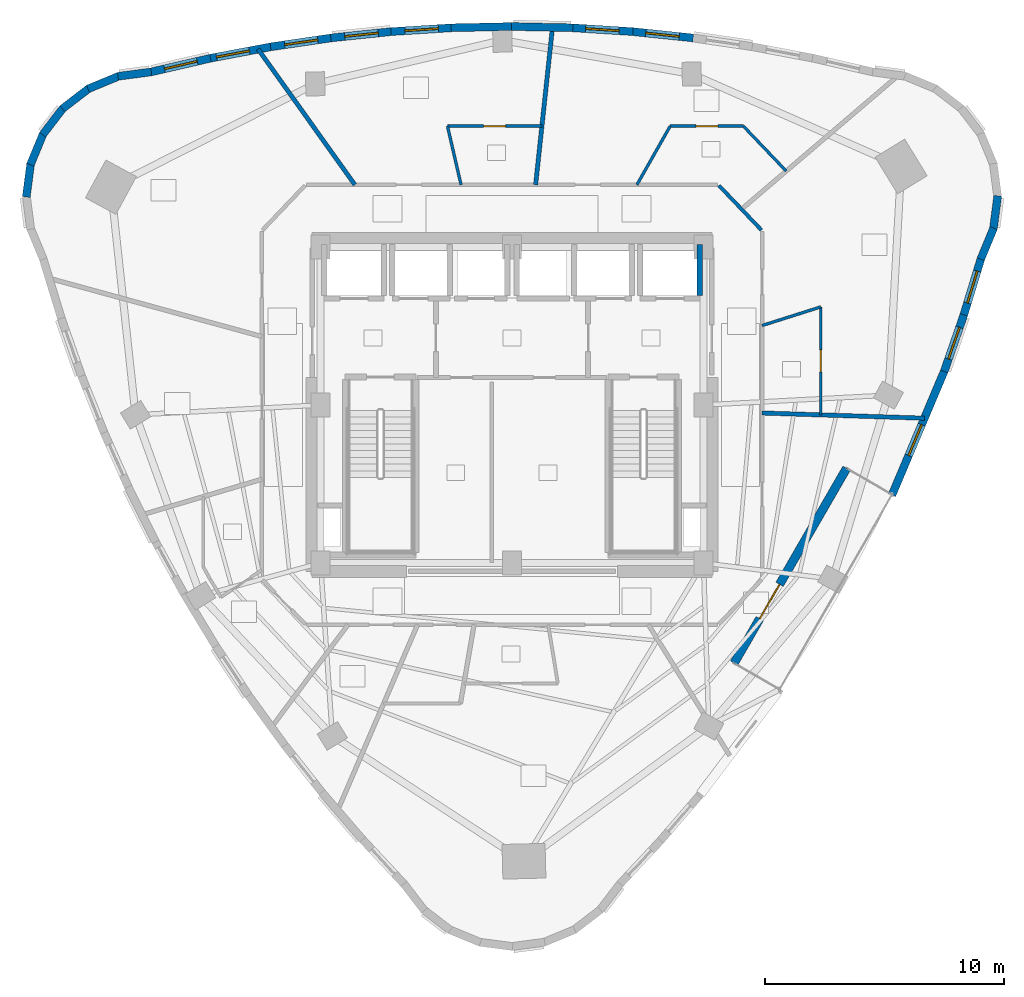
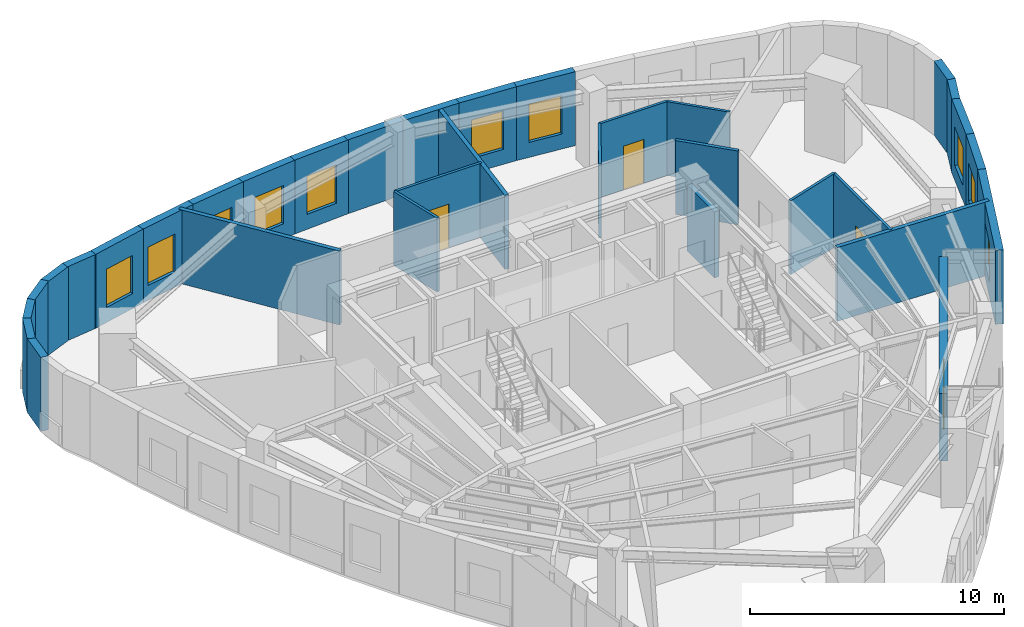
# One storey, part 8 of 12: 33 walls, 10 windows, 4 doors, 14 openings.
"""IFC4 building model written with IfcOpenShell, lengths in metres."""

import ifcopenshell
import ifcopenshell.guid

model = None  # the IFC model being written
_history = None  # IfcOwnerHistory: only IFC2X3 demands one
_inside = {}  # id of a spatial element -> (the spatial element, [elements in it])
_under = {}  # id of a project, library or spatial element -> (it, [spatial elements below it])
_declared = {}  # id of a project -> (the project, [libraries it declares])
_typed = {}  # id of a type object -> (the type object, [elements of that type])
_made_of = {}  # id of a material, layer set ... -> (it, [elements and type objects made of it])


def new_model(schema):
    """Start an empty IFC model of exactly this schema.

    Asked for "IFC4X3", IfcOpenShell would pick the latest addendum, in which some entities
    have other attributes; the version numbers below select the first issue.
    IFC2X3 requires an IfcOwnerHistory on every rooted entity: one is made here for all.
    """
    global model, _history
    if schema == "IFC4X3":
        model = ifcopenshell.file(schema_version=(4, 3, 0, 0))
    else:
        model = ifcopenshell.file(schema=schema)
    _inside.clear()
    _under.clear()
    _declared.clear()
    _typed.clear()
    _made_of.clear()
    _history = None
    if model.schema == "IFC2X3":
        org = make("IfcOrganization", Name="unknown")
        user = make(
            "IfcPersonAndOrganization",
            ThePerson=make("IfcPerson", FamilyName="unknown"),
            TheOrganization=org,
        )
        app = make(
            "IfcApplication",
            ApplicationDeveloper=org,
            Version="unknown",
            ApplicationFullName="unknown",
            ApplicationIdentifier="unknown",
        )
        _history = make(
            "IfcOwnerHistory",
            OwningUser=user,
            OwningApplication=app,
            ChangeAction="ADDED",
            CreationDate=0,
        )
    return model


def make(cls, **values):
    """One entity of the class cls with the attributes given. An attribute that is None is left unset."""
    return model.create_entity(
        cls, **{name: value for name, value in values.items() if value is not None}
    )


def rooted(cls, **values):
    """An entity with a GlobalId (a new one), such as an element, a storey or a relation."""
    return make(cls, GlobalId=ifcopenshell.guid.new(), OwnerHistory=_history, **values)


def si_unit(unit_type, name, prefix=None):
    """IfcSIUnit, for example si_unit("LENGTHUNIT", "METRE", prefix="MILLI")."""
    return make("IfcSIUnit", UnitType=unit_type, Prefix=prefix, Name=name)


def assignment(units):
    """IfcUnitAssignment: the units of a project."""
    return None if units is None else make("IfcUnitAssignment", Units=units)


def point(xyz):
    """IfcCartesianPoint."""
    return None if xyz is None else make("IfcCartesianPoint", Coordinates=xyz)


def direction(xyz):
    """IfcDirection."""
    return None if xyz is None else make("IfcDirection", DirectionRatios=xyz)


def frame(location, z_axis=None, x_axis=None):
    """IfcAxis2Placement3D, a coordinate frame: its origin and axes. An axis left out is left unset."""
    return make(
        "IfcAxis2Placement3D",
        Location=point(location),
        Axis=direction(z_axis),
        RefDirection=direction(x_axis),
    )


def frame_2d(location, x_axis=None):
    """IfcAxis2Placement2D, a coordinate frame in the plane: its origin and x axis."""
    return make(
        "IfcAxis2Placement2D", Location=point(location), RefDirection=direction(x_axis)
    )


def origin():
    """The frame at (0, 0, 0) with its axes left unset."""
    return frame((0.0, 0.0, 0.0))


def place(relative_to, where):
    """IfcLocalPlacement: puts the frame where relative to a parent placement (None: the world)."""
    return make(
        "IfcLocalPlacement", PlacementRelTo=relative_to, RelativePlacement=where
    )


def context(
    kind, dimensions, precision=None, world=None, true_north=None, identifier=None
):
    """IfcGeometricRepresentationContext, for example the 3D "Model" context."""
    return make(
        "IfcGeometricRepresentationContext",
        ContextIdentifier=identifier,
        ContextType=kind,
        CoordinateSpaceDimension=dimensions,
        Precision=precision,
        WorldCoordinateSystem=world,
        TrueNorth=true_north,
    )


def subcontext(parent, identifier, kind, view, scale=None):
    """IfcGeometricRepresentationSubContext, for example "Body" below "Model"."""
    return make(
        "IfcGeometricRepresentationSubContext",
        ContextIdentifier=identifier,
        ContextType=kind,
        ParentContext=parent,
        TargetScale=scale,
        TargetView=view,
    )


def project(units=None, contexts=None):
    """IfcProject with its units and contexts."""
    return rooted(
        "IfcProject",
        Name="project",
        RepresentationContexts=contexts,
        UnitsInContext=assignment(units),
    )


def spatial(cls, under=None, at=None, **own):
    """A site, building, storey or space (cls), placed at a placement, below another one or the project."""
    s = rooted(cls, ObjectPlacement=at, **own)
    if under is not None:
        _under.setdefault(under.id(), (under, []))[1].append(s)
    return s


def profile(cls, at=None, kind="AREA", **sizes):
    """A parametric profile (cls). Its sizes go by their IFC names, for example OverallWidth=200.0."""
    return make(cls, ProfileType=kind, Position=at, **sizes)


def rectangle(**sizes):
    """IfcRectangleProfileDef."""
    return profile("IfcRectangleProfileDef", **sizes)


def extrude(swept, where, along, depth):
    """IfcExtrudedAreaSolid: the profile swept, set in the frame where, extruded along a direction by depth."""
    return make(
        "IfcExtrudedAreaSolid",
        SweptArea=swept,
        Position=where,
        ExtrudedDirection=direction(along),
        Depth=depth,
    )


def shape(context_of_items, identifier, shape_type, items):
    """IfcShapeRepresentation: the items that make up one representation, for example the "Body"."""
    return make(
        "IfcShapeRepresentation",
        ContextOfItems=context_of_items,
        RepresentationIdentifier=identifier,
        RepresentationType=shape_type,
        Items=items,
    )


def material(Name=None, Category=None):
    """IfcMaterial."""
    return make("IfcMaterial", Name=Name, Category=Category)


def layer(
    of_material, thickness, ventilated=None, Name=None, Category=None, Priority=None
):
    """IfcMaterialLayer: one layer of a wall or slab, of a material (None: an air gap)."""
    return make(
        "IfcMaterialLayer",
        Material=of_material,
        LayerThickness=thickness,
        IsVentilated=ventilated,
        Name=Name,
        Category=Category,
        Priority=Priority,
    )


def layer_set(layers, Name=None):
    """IfcMaterialLayerSet."""
    return make("IfcMaterialLayerSet", MaterialLayers=layers, LayerSetName=Name)


def made_of(thing, what):
    """Note that an element or type object is made of a material, layer set ...; save() writes the relation."""
    if what is not None:
        _made_of.setdefault(what.id(), (what, []))[1].append(thing)
    return thing


def type_object(cls, material=None, **own):
    """A type object (cls), such as IfcWallType, which elements share."""
    return made_of(rooted(cls, **own), material)


def element(
    cls,
    number,
    at=None,
    inside=None,
    cuts=None,
    type_object=None,
    material=None,
    context=None,
    identifier="Body",
    shape_type=None,
    held_by="IfcProductDefinitionShape",
    body=None,
    shapes=None,
    **own,
):
    """One element of the class cls, such as IfcWall. Its Tag is "e" and its number.

    at: its placement. inside: the storey or other place that contains it. cuts: it is an
    opening in that element (IfcRelVoidsElement). A single representation is given by context,
    identifier, shape_type and body (its items); several are given by shapes. held_by: the class
    of the entity that holds the representations. save() writes the other relations.
    """
    e = rooted(cls, Tag="e%d" % number, ObjectPlacement=at, **own)
    if body is not None:
        shapes = [shape(context, identifier, shape_type, body)]
    if shapes is not None:
        e.Representation = make(held_by, Representations=shapes)
    if inside is not None:
        _inside.setdefault(inside.id(), (inside, []))[1].append(e)
    if cuts is not None:
        rooted(
            "IfcRelVoidsElement", RelatingBuildingElement=cuts, RelatedOpeningElement=e
        )
    if type_object is not None:
        _typed.setdefault(type_object.id(), (type_object, []))[1].append(e)
    return made_of(e, material)


def fill(opening, filler):
    """IfcRelFillsElement: the door or window that sits in an opening."""
    return rooted(
        "IfcRelFillsElement",
        RelatingOpeningElement=opening,
        RelatedBuildingElement=filler,
    )


def aggregate(whole, parts):
    """IfcRelAggregates: a whole, such as a stair, and the parts it consists of."""
    return rooted("IfcRelAggregates", RelatingObject=whole, RelatedObjects=parts)


def save(model, path):
    """Write the relations noted so far, then the file.

    IfcRelAggregates (storeys below a building ...), IfcRelContainedInSpatialStructure (elements
    in a storey), IfcRelDefinesByType, IfcRelAssociatesMaterial and IfcRelDeclares: one each for
    every whole, place, type object, material and project.
    """
    for whole, parts in _under.values():
        aggregate(whole, parts)
    for where, things in _inside.values():
        rooted(
            "IfcRelContainedInSpatialStructure",
            RelatedElements=things,
            RelatingStructure=where,
        )
    for kind, things in _typed.values():
        rooted("IfcRelDefinesByType", RelatedObjects=things, RelatingType=kind)
    for what, things in _made_of.values():
        rooted("IfcRelAssociatesMaterial", RelatedObjects=things, RelatingMaterial=what)
    for by, libraries in _declared.values():
        rooted("IfcRelDeclares", RelatingContext=by, RelatedDefinitions=libraries)
    model.write(path)


model = new_model("IFC4")

# Units and contexts
model_context = context("Model", 3, precision=1e-05, world=origin(), true_north=direction((0.0, 1.0)))
body_context = subcontext(model_context, "Body", "Model", "MODEL_VIEW")
ifc_project = project(units=[si_unit("LENGTHUNIT", "METRE"), si_unit("AREAUNIT", "SQUARE_METRE"), si_unit("VOLUMEUNIT", "CUBIC_METRE"), si_unit("PLANEANGLEUNIT", "RADIAN"), si_unit("MASSUNIT", "GRAM", prefix="KILO")], contexts=[model_context])

# Site, building, storey
site_placement = place(None, origin())
site = spatial("IfcSite", under=ifc_project, at=site_placement, CompositionType="ELEMENT")
building_placement = place(site_placement, origin())
building = spatial("IfcBuilding", under=site, at=building_placement, Name="Ndelora Gate Hotel", CompositionType="ELEMENT")
storey_placement = place(building_placement, frame((0.0, 0.0, 209.35009765625)))
storey = spatial("IfcBuildingStorey", under=building, at=storey_placement, Name="L52", CompositionType="ELEMENT", Elevation=209.35009765625)

# Walls
ifc_material_1 = material(Name="Acoustic Double-Stud Gypsum Assembly", Category="gypsum")
ifc_layer_1 = layer(ifc_material_1, 0.179931640625)
ifc_layer_set_1 = layer_set([ifc_layer_1], Name="Acoustic Double-Stud Gypsum Assembly")
wall_type_1 = type_object("IfcWallType", Name="WL-ACOUST-180", PredefinedType="PARTITIONING", material=ifc_layer_set_1)
wall_1_placement = place(storey_placement, frame((10.449951171875, -0.335205078125, 0.0), z_axis=(0.0, 0.0, 1.0), x_axis=(0.99948738044, -0.032015251704, 0.0)))
element("IfcWall", 1, at=wall_1_placement, inside=storey, type_object=wall_type_1, Name="L52 Interior Wall IW-3", PredefinedType="PARTITIONING", context=body_context, shape_type="SweptSolid", body=[
    extrude(rectangle(XDim=6.786865234375, YDim=0.179931640625, at=frame_2d((3.3935546875, 0.0))), origin(), (0.0, 0.0, 1.0), 3.5498046875),
])
wall_2_placement = place(storey_placement, frame((0.98681640625, 9.199951171875, 0.0), z_axis=(0.0, 0.0, 1.0), x_axis=(0.106639959808, 0.994297701381, 0.0)))
element("IfcWall", 2, at=wall_2_placement, inside=storey, type_object=wall_type_1, Name="L52 Interior Wall IW-3", PredefinedType="PARTITIONING", context=body_context, shape_type="SweptSolid", body=[
    extrude(rectangle(XDim=6.616455078125, YDim=0.179931640625, at=frame_2d((3.30810546875, 0.0))), origin(), (0.0, 0.0, 1.0), 3.5498046875),
])
wall_3_placement = place(storey_placement, frame((-6.564697265625, 9.199951171875, 0.0), z_axis=(0.0, 0.0, 1.0), x_axis=(-0.580836708582, 0.814020096781, 0.0)))
element("IfcWall", 3, at=wall_3_placement, inside=storey, type_object=wall_type_1, Name="L52 Interior Wall IW-3", PredefinedType="PARTITIONING", context=body_context, shape_type="SweptSolid", body=[
    extrude(rectangle(XDim=6.96142578125, YDim=0.179931640625, at=frame_2d((3.480712890625, 0.0))), origin(), (0.0, 0.0, 1.0), 3.5498046875),
])
ifc_material_2 = material(Name="Clay Brick Masonry", Category="masonry")
ifc_layer_2 = layer(ifc_material_2, 0.330078125)
ifc_layer_set_2 = layer_set([ifc_layer_2], Name="Clay Brick Masonry")
wall_type_2 = type_object("IfcWallType", Name="WL-BRICK-330", PredefinedType="SOLIDWALL", material=ifc_layer_set_2)
for number, where, z_axis, x_axis, name in (
    (4, (-16.464111328125, 13.733642578125, 0.0), (0.0, 0.0, 1.0), (0.991434211429, 0.130607061093, 0.0), "L52 Tower Brick Pier-and-Spandrel Wall TWR-1"),
    (5, (-17.71630859375, 13.2080078125, 0.0), (0.0, 0.0, 1.0), (0.923885753275, 0.382668413767, 0.0), "L52 Tower Brick Pier-and-Spandrel Wall TWR-2"),
):
    element("IfcWall", number, at=place(storey_placement, frame(where, z_axis=z_axis, x_axis=x_axis)), inside=storey, type_object=wall_type_2, Name=name, PredefinedType="SOLIDWALL", context=body_context, shape_type="SweptSolid", body=[
        extrude(rectangle(XDim=1.407470703125, YDim=0.330078125, at=frame_2d((0.70361328125, 0.0))), origin(), (0.0, 0.0, 1.0), 3.5498046875),
    ])
wall_4_placement = place(storey_placement, frame((-18.7900390625, 12.3759765625, 0.0), z_axis=(0.0, 0.0, 1.0), x_axis=(0.793352193746, 0.608762923213, 0.0)))
element("IfcWall", 6, at=wall_4_placement, inside=storey, type_object=wall_type_2, Name="L52 Tower Brick Pier-and-Spandrel Wall TWR-3", PredefinedType="SOLIDWALL", context=body_context, shape_type="SweptSolid", body=[
    extrude(rectangle(XDim=1.4072265625, YDim=0.330078125, at=frame_2d((0.70361328125, 0.0))), origin(), (0.0, 0.0, 1.0), 3.5498046875),
])
for number, where, z_axis, x_axis, name in (
    (7, (-19.61181640625, 11.294189453125, 0.0), (0.0, 0.0, 1.0), (0.608679143886, 0.793416473107, 0.0), "L52 Tower Brick Pier-and-Spandrel Wall TWR-4"),
    (8, (-20.125732421875, 10.036865234375, 0.0), (0.0, 0.0, 1.0), (0.382668413767, 0.923885753275, 0.0), "L52 Tower Brick Pier-and-Spandrel Wall TWR-5"),
    (9, (-20.296630859375, 8.689208984375, 0.0), (0.0, 0.0, 1.0), (0.130607061093, 0.991434211429, 0.0), "L52 Tower Brick Pier-and-Spandrel Wall TWR-6"),
):
    element("IfcWall", number, at=place(storey_placement, frame(where, z_axis=z_axis, x_axis=x_axis)), inside=storey, type_object=wall_type_2, Name=name, PredefinedType="SOLIDWALL", context=body_context, shape_type="SweptSolid", body=[
        extrude(rectangle(XDim=1.407470703125, YDim=0.330078125, at=frame_2d((0.70361328125, 0.0))), origin(), (0.0, 0.0, 1.0), 3.5498046875),
    ])

# Wall, opening, window
wall_5_placement = place(storey_placement, frame((18.075927734375, 1.443603515625, 0.0), z_axis=(0.0, 0.0, 1.0), x_axis=(-0.388886562254, -0.921285646094, 0.0)))
wall_5 = element("IfcWall", 10, at=wall_5_placement, inside=storey, type_object=wall_type_2, Name="L52 Tower Brick Pier-and-Spandrel Wall TWR-36", PredefinedType="SOLIDWALL", context=body_context, shape_type="SweptSolid", body=[
    extrude(rectangle(XDim=5.656494140625, YDim=0.330078125, at=frame_2d((2.828125, 0.0))), origin(), (0.0, 0.0, 1.0), 3.5498046875),
])
opening_1_placement = place(wall_5_placement, frame((2.4599609375, 0.0, 0.719970703125)))
opening_1 = element("IfcOpeningElement", 11, at=opening_1_placement, cuts=wall_5, Name="Opening W02", PredefinedType="OPENING", context=body_context, shape_type="SweptSolid", body=[
    extrude(rectangle(XDim=1.39990234375, YDim=1.8798828125, at=frame_2d((0.699951171875, 0.93994140625))), frame((0.0, 0.175048828125, 0.0), z_axis=(0.0, -1.0, 0.0), x_axis=(1.0, 0.0, 0.0)), (0.0, 0.0, 1.0), 0.35009765625),
])
ifc_material_3 = material(Name="Insulated Low-E Double Glazing in Bronze Aluminium Frame", Category="aluminium")
window_type = type_object("IfcWindowType", Name="WN-DEEP-1400", PartitioningType="SINGLE_PANEL", PredefinedType="WINDOW", material=ifc_material_3)
window_1_placement = place(opening_1_placement, origin())
window_1 = element("IfcWindow", 12, at=window_1_placement, inside=storey, type_object=window_type, Name="L52 Deep-Set Brick-Pier Window W02", OverallHeight=1.8798828125, OverallWidth=1.39990234375, PartitioningType="SINGLE_PANEL", PredefinedType="WINDOW", context=body_context, shape_type="SweptSolid", body=[
    extrude(rectangle(XDim=1.39990234375, YDim=1.8798828125, at=frame_2d((0.699951171875, 0.93994140625))), frame((0.0, 0.030029296875, 0.0), z_axis=(0.0, -1.0, 0.0), x_axis=(1.0, 0.0, 0.0)), (0.0, 0.0, 1.0), 0.06005859375),
])
fill(opening_1, window_1)

wall_6_placement = place(storey_placement, frame((18.8818359375, 3.7666015625, 0.0), z_axis=(0.0, 0.0, 1.0), x_axis=(-0.32834699172, -0.94455717298, 0.0)))
wall_6 = element("IfcWall", 13, at=wall_6_placement, inside=storey, type_object=wall_type_2, Name="L52 Tower Brick Pier-and-Spandrel Wall TWR-37", PredefinedType="SOLIDWALL", context=body_context, shape_type="SweptSolid", body=[
    extrude(rectangle(XDim=2.5087890625, YDim=0.330078125, at=frame_2d((1.25439453125, 0.0))), origin(), (0.0, 0.0, 1.0), 3.5498046875),
])
opening_2_placement = place(wall_6_placement, frame((0.554443359375, 0.0, 0.719970703125)))
opening_2 = element("IfcOpeningElement", 14, at=opening_2_placement, cuts=wall_6, Name="Opening W02", PredefinedType="OPENING", context=body_context, shape_type="SweptSolid", body=[
    extrude(rectangle(XDim=1.39990234375, YDim=1.840087890625, at=frame_2d((0.699951171875, 0.919921875))), frame((0.0, 0.175048828125, 0.0), z_axis=(0.0, -1.0, 0.0), x_axis=(1.0, 0.0, 0.0)), (0.0, 0.0, 1.0), 0.35009765625),
])
window_2_placement = place(opening_2_placement, origin())
window_2 = element("IfcWindow", 15, at=window_2_placement, inside=storey, type_object=window_type, Name="L52 Deep-Set Brick-Pier Window W02", OverallHeight=1.840087890625, OverallWidth=1.39990234375, PartitioningType="SINGLE_PANEL", PredefinedType="WINDOW", context=body_context, shape_type="SweptSolid", body=[
    extrude(rectangle(XDim=1.39990234375, YDim=1.840087890625, at=frame_2d((0.699951171875, 0.919921875))), frame((0.0, 0.030029296875, 0.0), z_axis=(0.0, -1.0, 0.0), x_axis=(1.0, 0.0, 0.0)), (0.0, 0.0, 1.0), 0.06005859375),
])
fill(opening_2, window_2)

wall_7_placement = place(storey_placement, frame((19.60400390625, 6.137939453125, 0.0), z_axis=(0.0, 0.0, 1.0), x_axis=(-0.291764725471, -0.95649011755, 0.0)))
wall_7 = element("IfcWall", 16, at=wall_7_placement, inside=storey, type_object=wall_type_2, Name="L52 Tower Brick Pier-and-Spandrel Wall TWR-38", PredefinedType="SOLIDWALL", context=body_context, shape_type="SweptSolid", body=[
    extrude(rectangle(XDim=2.52880859375, YDim=0.330078125, at=frame_2d((1.264404296875, 0.0))), origin(), (0.0, 0.0, 1.0), 3.5498046875),
])
opening_3_placement = place(wall_7_placement, frame((0.564453125, 0.0, 0.719970703125)))
opening_3 = element("IfcOpeningElement", 17, at=opening_3_placement, cuts=wall_7, Name="Opening W02", PredefinedType="OPENING", context=body_context, shape_type="SweptSolid", body=[
    extrude(rectangle(XDim=1.39990234375, YDim=1.840087890625, at=frame_2d((0.699951171875, 0.919921875))), frame((0.0, 0.175048828125, 0.0), z_axis=(0.0, -1.0, 0.0), x_axis=(1.0, 0.0, 0.0)), (0.0, 0.0, 1.0), 0.35009765625),
])
window_3_placement = place(opening_3_placement, origin())
window_3 = element("IfcWindow", 18, at=window_3_placement, inside=storey, type_object=window_type, Name="L52 Deep-Set Brick-Pier Window W02", OverallHeight=1.840087890625, OverallWidth=1.39990234375, PartitioningType="SINGLE_PANEL", PredefinedType="WINDOW", context=body_context, shape_type="SweptSolid", body=[
    extrude(rectangle(XDim=1.39990234375, YDim=1.840087890625, at=frame_2d((0.699951171875, 0.919921875))), frame((0.0, 0.030029296875, 0.0), z_axis=(0.0, -1.0, 0.0), x_axis=(1.0, 0.0, 0.0)), (0.0, 0.0, 1.0), 0.06005859375),
])
fill(opening_3, window_3)

# Walls
for number, where, z_axis, x_axis, name in (
    (19, (20.125732421875, 7.391357421875, 0.0), (0.0, 0.0, 1.0), (-0.382668413767, -0.923885753275, 0.0), "L52 Tower Brick Pier-and-Spandrel Wall TWR-39"),
    (20, (20.296630859375, 8.739013671875, 0.0), (0.0, 0.0, 1.0), (-0.130607061093, -0.991434211429, 0.0), "L52 Tower Brick Pier-and-Spandrel Wall TWR-40"),
):
    element("IfcWall", number, at=place(storey_placement, frame(where, z_axis=z_axis, x_axis=x_axis)), inside=storey, type_object=wall_type_2, Name=name, PredefinedType="SOLIDWALL", context=body_context, shape_type="SweptSolid", body=[
        extrude(rectangle(XDim=1.407470703125, YDim=0.330078125, at=frame_2d((0.70361328125, 0.0))), origin(), (0.0, 0.0, 1.0), 3.5498046875),
    ])

# Wall, opening, window
wall_8_placement = place(storey_placement, frame((5.006103515625, 15.605712890625, 0.0), z_axis=(0.0, 0.0, 1.0), x_axis=(0.994536008198, -0.104394101355, 0.0)))
wall_8 = element("IfcWall", 21, at=wall_8_placement, inside=storey, type_object=wall_type_2, Name="L52 Tower Brick Pier-and-Spandrel Wall TWR-50", PredefinedType="SOLIDWALL", context=body_context, shape_type="SweptSolid", body=[
    extrude(rectangle(XDim=2.57958984375, YDim=0.330078125, at=frame_2d((1.289794921875, 0.0))), origin(), (0.0, 0.0, 1.0), 3.5498046875),
])
opening_4_placement = place(wall_8_placement, frame((0.589599609375, 0.0, 0.719970703125)))
opening_4 = element("IfcOpeningElement", 22, at=opening_4_placement, cuts=wall_8, Name="Opening W02", PredefinedType="OPENING", context=body_context, shape_type="SweptSolid", body=[
    extrude(rectangle(XDim=1.39990234375, YDim=1.840087890625, at=frame_2d((0.699951171875, 0.919921875))), frame((0.0, 0.175048828125, 0.0), z_axis=(0.0, -1.0, 0.0), x_axis=(1.0, 0.0, 0.0)), (0.0, 0.0, 1.0), 0.35009765625),
])
window_4_placement = place(opening_4_placement, origin())
window_4 = element("IfcWindow", 23, at=window_4_placement, inside=storey, type_object=window_type, Name="L52 Deep-Set Brick-Pier Window W02", OverallHeight=1.840087890625, OverallWidth=1.39990234375, PartitioningType="SINGLE_PANEL", PredefinedType="WINDOW", context=body_context, shape_type="SweptSolid", body=[
    extrude(rectangle(XDim=1.39990234375, YDim=1.840087890625, at=frame_2d((0.699951171875, 0.919921875))), frame((0.0, 0.030029296875, 0.0), z_axis=(0.0, -1.0, 0.0), x_axis=(1.0, 0.0, 0.0)), (0.0, 0.0, 1.0), 0.06005859375),
])
fill(opening_4, window_4)

wall_9_placement = place(storey_placement, frame((2.490478515625, 15.762939453125, 0.0), z_axis=(0.0, 0.0, 1.0), x_axis=(0.998021787146, -0.062869009715, 0.0)))
wall_9 = element("IfcWall", 24, at=wall_9_placement, inside=storey, type_object=wall_type_2, Name="L52 Tower Brick Pier-and-Spandrel Wall TWR-51", PredefinedType="SOLIDWALL", context=body_context, shape_type="SweptSolid", body=[
    extrude(rectangle(XDim=2.57080078125, YDim=0.330078125, at=frame_2d((1.285400390625, 0.0))), origin(), (0.0, 0.0, 1.0), 3.5498046875),
])
opening_5_placement = place(wall_9_placement, frame((0.585205078125, 0.0, 0.719970703125)))
opening_5 = element("IfcOpeningElement", 25, at=opening_5_placement, cuts=wall_9, Name="Opening W02", PredefinedType="OPENING", context=body_context, shape_type="SweptSolid", body=[
    extrude(rectangle(XDim=1.39990234375, YDim=1.840087890625, at=frame_2d((0.699951171875, 0.919921875))), frame((0.0, 0.175048828125, 0.0), z_axis=(0.0, -1.0, 0.0), x_axis=(1.0, 0.0, 0.0)), (0.0, 0.0, 1.0), 0.35009765625),
])
window_5_placement = place(opening_5_placement, origin())
window_5 = element("IfcWindow", 26, at=window_5_placement, inside=storey, type_object=window_type, Name="L52 Deep-Set Brick-Pier Window W02", OverallHeight=1.840087890625, OverallWidth=1.39990234375, PartitioningType="SINGLE_PANEL", PredefinedType="WINDOW", context=body_context, shape_type="SweptSolid", body=[
    extrude(rectangle(XDim=1.39990234375, YDim=1.840087890625, at=frame_2d((0.699951171875, 0.919921875))), frame((0.0, 0.030029296875, 0.0), z_axis=(0.0, -1.0, 0.0), x_axis=(1.0, 0.0, 0.0)), (0.0, 0.0, 1.0), 0.06005859375),
])
fill(opening_5, window_5)

# Walls
for number, where, z_axis, x_axis, name in (
    (27, (-0.02490234375, 15.814697265625, 0.0), (0.0, 0.0, 1.0), (0.999780904987, -0.02093184232, 0.0), "L52 Tower Brick Pier-and-Spandrel Wall TWR-52"),
    (28, (-2.54052734375, 15.760986328125, 0.0), (0.0, 0.0, 1.0), (0.999780904987, 0.02093184232, 0.0), "L52 Tower Brick Pier-and-Spandrel Wall TWR-53"),
):
    element("IfcWall", number, at=place(storey_placement, frame(where, z_axis=z_axis, x_axis=x_axis)), inside=storey, type_object=wall_type_2, Name=name, PredefinedType="SOLIDWALL", context=body_context, shape_type="SweptSolid", body=[
        extrude(rectangle(XDim=2.56591796875, YDim=0.330078125, at=frame_2d((1.282958984375, 0.0))), origin(), (0.0, 0.0, 1.0), 3.5498046875),
    ])

# Wall, opening, window
wall_10_placement = place(storey_placement, frame((-5.05615234375, 15.601318359375, 0.0), z_axis=(0.0, 0.0, 1.0), x_axis=(0.998021787146, 0.062869009715, 0.0)))
wall_10 = element("IfcWall", 29, at=wall_10_placement, inside=storey, type_object=wall_type_2, Name="L52 Tower Brick Pier-and-Spandrel Wall TWR-54", PredefinedType="SOLIDWALL", context=body_context, shape_type="SweptSolid", body=[
    extrude(rectangle(XDim=2.57080078125, YDim=0.330078125, at=frame_2d((1.285400390625, 0.0))), origin(), (0.0, 0.0, 1.0), 3.5498046875),
])
opening_6_placement = place(wall_10_placement, frame((0.585205078125, 0.0, 0.719970703125)))
opening_6 = element("IfcOpeningElement", 30, at=opening_6_placement, cuts=wall_10, Name="Opening W02", PredefinedType="OPENING", context=body_context, shape_type="SweptSolid", body=[
    extrude(rectangle(XDim=1.39990234375, YDim=1.840087890625, at=frame_2d((0.699951171875, 0.919921875))), frame((0.0, 0.175048828125, 0.0), z_axis=(0.0, -1.0, 0.0), x_axis=(1.0, 0.0, 0.0)), (0.0, 0.0, 1.0), 0.35009765625),
])
window_6_placement = place(opening_6_placement, origin())
window_6 = element("IfcWindow", 31, at=window_6_placement, inside=storey, type_object=window_type, Name="L52 Deep-Set Brick-Pier Window W02", OverallHeight=1.840087890625, OverallWidth=1.39990234375, PartitioningType="SINGLE_PANEL", PredefinedType="WINDOW", context=body_context, shape_type="SweptSolid", body=[
    extrude(rectangle(XDim=1.39990234375, YDim=1.840087890625, at=frame_2d((0.699951171875, 0.919921875))), frame((0.0, 0.030029296875, 0.0), z_axis=(0.0, -1.0, 0.0), x_axis=(1.0, 0.0, 0.0)), (0.0, 0.0, 1.0), 0.06005859375),
])
fill(opening_6, window_6)

wall_11_placement = place(storey_placement, frame((-7.571533203125, 15.33642578125, 0.0), z_axis=(0.0, 0.0, 1.0), x_axis=(0.994536008198, 0.104394101355, 0.0)))
wall_11 = element("IfcWall", 32, at=wall_11_placement, inside=storey, type_object=wall_type_2, Name="L52 Tower Brick Pier-and-Spandrel Wall TWR-55", PredefinedType="SOLIDWALL", context=body_context, shape_type="SweptSolid", body=[
    extrude(rectangle(XDim=2.57958984375, YDim=0.330078125, at=frame_2d((1.289794921875, 0.0))), origin(), (0.0, 0.0, 1.0), 3.5498046875),
])
opening_7_placement = place(wall_11_placement, frame((0.589599609375, 0.0, 0.719970703125)))
opening_7 = element("IfcOpeningElement", 33, at=opening_7_placement, cuts=wall_11, Name="Opening W02", PredefinedType="OPENING", context=body_context, shape_type="SweptSolid", body=[
    extrude(rectangle(XDim=1.39990234375, YDim=1.840087890625, at=frame_2d((0.699951171875, 0.919921875))), frame((0.0, 0.175048828125, 0.0), z_axis=(0.0, -1.0, 0.0), x_axis=(1.0, 0.0, 0.0)), (0.0, 0.0, 1.0), 0.35009765625),
])
window_7_placement = place(opening_7_placement, origin())
window_7 = element("IfcWindow", 34, at=window_7_placement, inside=storey, type_object=window_type, Name="L52 Deep-Set Brick-Pier Window W02", OverallHeight=1.840087890625, OverallWidth=1.39990234375, PartitioningType="SINGLE_PANEL", PredefinedType="WINDOW", context=body_context, shape_type="SweptSolid", body=[
    extrude(rectangle(XDim=1.39990234375, YDim=1.840087890625, at=frame_2d((0.699951171875, 0.919921875))), frame((0.0, 0.030029296875, 0.0), z_axis=(0.0, -1.0, 0.0), x_axis=(1.0, 0.0, 0.0)), (0.0, 0.0, 1.0), 0.06005859375),
])
fill(opening_7, window_7)

wall_12_placement = place(storey_placement, frame((-10.0869140625, 14.966064453125, 0.0), z_axis=(0.0, 0.0, 1.0), x_axis=(0.989386229934, 0.145309628097, 0.0)))
wall_12 = element("IfcWall", 35, at=wall_12_placement, inside=storey, type_object=wall_type_2, Name="L52 Tower Brick Pier-and-Spandrel Wall TWR-56", PredefinedType="SOLIDWALL", context=body_context, shape_type="SweptSolid", body=[
    extrude(rectangle(XDim=2.592529296875, YDim=0.330078125, at=frame_2d((1.29638671875, 0.0))), origin(), (0.0, 0.0, 1.0), 3.5498046875),
])
opening_8_placement = place(wall_12_placement, frame((0.59619140625, 0.0, 0.719970703125)))
opening_8 = element("IfcOpeningElement", 36, at=opening_8_placement, cuts=wall_12, Name="Opening W02", PredefinedType="OPENING", context=body_context, shape_type="SweptSolid", body=[
    extrude(rectangle(XDim=1.39990234375, YDim=1.840087890625, at=frame_2d((0.699951171875, 0.919921875))), frame((0.0, 0.175048828125, 0.0), z_axis=(0.0, -1.0, 0.0), x_axis=(1.0, 0.0, 0.0)), (0.0, 0.0, 1.0), 0.35009765625),
])
window_8_placement = place(opening_8_placement, origin())
window_8 = element("IfcWindow", 37, at=window_8_placement, inside=storey, type_object=window_type, Name="L52 Deep-Set Brick-Pier Window W02", OverallHeight=1.840087890625, OverallWidth=1.39990234375, PartitioningType="SINGLE_PANEL", PredefinedType="WINDOW", context=body_context, shape_type="SweptSolid", body=[
    extrude(rectangle(XDim=1.39990234375, YDim=1.840087890625, at=frame_2d((0.699951171875, 0.919921875))), frame((0.0, 0.030029296875, 0.0), z_axis=(0.0, -1.0, 0.0), x_axis=(1.0, 0.0, 0.0)), (0.0, 0.0, 1.0), 0.06005859375),
])
fill(opening_8, window_8)

wall_13_placement = place(storey_placement, frame((-12.602294921875, 14.489990234375, 0.0), z_axis=(0.0, 0.0, 1.0), x_axis=(0.982628840182, 0.185581686713, 0.0)))
wall_13 = element("IfcWall", 38, at=wall_13_placement, inside=storey, type_object=wall_type_2, Name="L52 Tower Brick Pier-and-Spandrel Wall TWR-57", PredefinedType="SOLIDWALL", context=body_context, shape_type="SweptSolid", body=[
    extrude(rectangle(XDim=2.610107421875, YDim=0.330078125, at=frame_2d((1.30517578125, 0.0))), origin(), (0.0, 0.0, 1.0), 3.5498046875),
])
opening_9_placement = place(wall_13_placement, frame((0.260009765625, 0.0, 0.719970703125)))
opening_9 = element("IfcOpeningElement", 39, at=opening_9_placement, cuts=wall_13, Name="Opening W02", PredefinedType="OPENING", context=body_context, shape_type="SweptSolid", body=[
    extrude(rectangle(XDim=1.39990234375, YDim=1.840087890625, at=frame_2d((0.699951171875, 0.919921875))), frame((0.0, 0.175048828125, 0.0), z_axis=(0.0, -1.0, 0.0), x_axis=(1.0, 0.0, 0.0)), (0.0, 0.0, 1.0), 0.35009765625),
])
window_9_placement = place(opening_9_placement, origin())
window_9 = element("IfcWindow", 40, at=window_9_placement, inside=storey, type_object=window_type, Name="L52 Deep-Set Brick-Pier Window W02", OverallHeight=1.840087890625, OverallWidth=1.39990234375, PartitioningType="SINGLE_PANEL", PredefinedType="WINDOW", context=body_context, shape_type="SweptSolid", body=[
    extrude(rectangle(XDim=1.39990234375, YDim=1.840087890625, at=frame_2d((0.699951171875, 0.919921875))), frame((0.0, 0.030029296875, 0.0), z_axis=(0.0, -1.0, 0.0), x_axis=(1.0, 0.0, 0.0)), (0.0, 0.0, 1.0), 0.06005859375),
])
fill(opening_9, window_9)

wall_14_placement = place(storey_placement, frame((-15.11767578125, 13.908447265625, 0.0), z_axis=(0.0, 0.0, 1.0), x_axis=(0.974386504753, 0.224879833145, 0.0)))
wall_14 = element("IfcWall", 41, at=wall_14_placement, inside=storey, type_object=wall_type_2, Name="L52 Tower Brick Pier-and-Spandrel Wall TWR-58", PredefinedType="SOLIDWALL", context=body_context, shape_type="SweptSolid", body=[
    extrude(rectangle(XDim=2.631591796875, YDim=0.330078125, at=frame_2d((1.31591796875, 0.0))), origin(), (0.0, 0.0, 1.0), 3.5498046875),
])
opening_10_placement = place(wall_14_placement, frame((0.61572265625, 0.0, 0.719970703125)))
opening_10 = element("IfcOpeningElement", 42, at=opening_10_placement, cuts=wall_14, Name="Opening W02", PredefinedType="OPENING", context=body_context, shape_type="SweptSolid", body=[
    extrude(rectangle(XDim=1.39990234375, YDim=1.840087890625, at=frame_2d((0.699951171875, 0.919921875))), frame((0.0, 0.175048828125, 0.0), z_axis=(0.0, -1.0, 0.0), x_axis=(1.0, 0.0, 0.0)), (0.0, 0.0, 1.0), 0.35009765625),
])
window_10_placement = place(opening_10_placement, origin())
window_10 = element("IfcWindow", 43, at=window_10_placement, inside=storey, type_object=window_type, Name="L52 Deep-Set Brick-Pier Window W02", OverallHeight=1.840087890625, OverallWidth=1.39990234375, PartitioningType="SINGLE_PANEL", PredefinedType="WINDOW", context=body_context, shape_type="SweptSolid", body=[
    extrude(rectangle(XDim=1.39990234375, YDim=1.840087890625, at=frame_2d((0.699951171875, 0.919921875))), frame((0.0, 0.030029296875, 0.0), z_axis=(0.0, -1.0, 0.0), x_axis=(1.0, 0.0, 0.0)), (0.0, 0.0, 1.0), 0.06005859375),
])
fill(opening_10, window_10)

# Wall, opening, door
ifc_layer_3 = layer(ifc_material_2, 0.360107421875)
ifc_layer_set_3 = layer_set([ifc_layer_3], Name="Clay Brick Masonry")
wall_type_3 = type_object("IfcWallType", Name="WL-BRICK-360", PredefinedType="SOLIDWALL", material=ifc_layer_set_3)
wall_15_placement = place(storey_placement, frame((13.980712890625, -2.64453125, 0.0), z_axis=(0.0, 0.0, 1.0), x_axis=(-0.500004972392, -0.866022532953, 0.0)))
wall_15 = element("IfcWall", 44, at=wall_15_placement, inside=storey, type_object=wall_type_3, Name="L52 Sky-Garden Loggia Rear Brick Wall", PredefinedType="SOLIDWALL", context=body_context, shape_type="SweptSolid", body=[
    extrude(rectangle(XDim=9.400390625, YDim=0.360107421875, at=frame_2d((4.7001953125, 0.0))), origin(), (0.0, 0.0, 1.0), 3.22998046875),
])
opening_11_placement = place(wall_15_placement, frame((5.60009765625, 0.0, 0.0)))
opening_11 = element("IfcOpeningElement", 45, at=opening_11_placement, cuts=wall_15, Name="Opening TD1", PredefinedType="OPENING", context=body_context, shape_type="SweptSolid", body=[
    extrude(rectangle(XDim=1.64990234375, YDim=2.25, at=frame_2d((0.824951171875, 1.125))), frame((0.0, 0.18994140625, 0.0), z_axis=(0.0, -1.0, 0.0), x_axis=(1.0, 0.0, 0.0)), (0.0, 0.0, 1.0), 0.380126953125),
])
ifc_material_4 = material(Name="Architectural Bronze Glazed Door", Category="metal")
door_type_1 = type_object("IfcDoorType", Name="DR-TER-1650", OperationType="DOUBLE_DOOR_SINGLE_SWING", PredefinedType="DOOR", material=ifc_material_4)
door_1_placement = place(opening_11_placement, origin())
door_1 = element("IfcDoor", 46, at=door_1_placement, inside=storey, type_object=door_type_1, Name="L52 Sky-Garden Terrace Double Door TD1", OperationType="DOUBLE_DOOR_SINGLE_SWING", OverallHeight=2.25, OverallWidth=1.64990234375, PredefinedType="DOOR", context=body_context, shape_type="SweptSolid", body=[
    extrude(rectangle(XDim=1.64990234375, YDim=2.25, at=frame_2d((0.824951171875, 1.125))), frame((0.0, 0.02490234375, 0.0), z_axis=(0.0, -1.0, 0.0), x_axis=(1.0, 0.0, 0.0)), (0.0, 0.0, 1.0), 0.050048828125),
])
fill(opening_11, door_1)

# Walls
ifc_material_5 = material(Name="Fire-Rated Gypsum Stud Partition", Category="gypsum")
ifc_layer_4 = layer(ifc_material_5, 0.14990234375)
ifc_layer_set_4 = layer_set([ifc_layer_4], Name="Fire-Rated Gypsum Stud Partition")
wall_type_4 = type_object("IfcWallType", Name="WL-PART-150", PredefinedType="PARTITIONING", material=ifc_layer_set_4)
wall_16_placement = place(storey_placement, frame((8.647705078125, 9.1708984375, 0.0), z_axis=(0.0, 0.0, 1.0), x_axis=(0.689960858356, -0.723846678473, 0.0)))
element("IfcWall", 47, at=wall_16_placement, inside=storey, type_object=wall_type_4, Name="L52 Interior Wall IW-5", PredefinedType="PARTITIONING", context=body_context, shape_type="SweptSolid", body=[
    extrude(rectangle(XDim=2.572021484375, YDim=0.14990234375, at=frame_2d((1.2861328125, 0.0))), origin(), (0.0, 0.0, 1.0), 3.5498046875),
])
ifc_material_6 = material(Name="Concrete C40/50", Category="concrete")
ifc_layer_5 = layer(ifc_material_6, 0.219970703125)
ifc_layer_set_5 = layer_set([ifc_layer_5], Name="Concrete C40/50")
wall_type_5 = type_object("IfcWallType", Name="WL-SHAFT-220", PredefinedType="PARTITIONING", material=ifc_layer_set_5)
wall_17_placement = place(storey_placement, frame((7.85009765625, 4.570068359375, 0.0), z_axis=(0.0, 0.0, 1.0), x_axis=(0.0, 1.0, 0.0)))
element("IfcWall", 48, at=wall_17_placement, inside=storey, type_object=wall_type_5, Name="L52 Interior Wall IW-1", PredefinedType="PARTITIONING", context=body_context, shape_type="SweptSolid", body=[
    extrude(rectangle(XDim=2.1298828125, YDim=0.219970703125, at=frame_2d((1.06494140625, 0.0))), origin(), (0.0, 0.0, 1.0), 3.179931640625),
])
ifc_material_7 = material(Name="Moisture-Resistant Bathroom Tile Partition", Category="gypsum")
ifc_layer_6 = layer(ifc_material_7, 0.1201171875)
ifc_layer_set_6 = layer_set([ifc_layer_6], Name="Moisture-Resistant Bathroom Tile Partition")
wall_type_6 = type_object("IfcWallType", Name="WL-WET-120", PredefinedType="PARTITIONING", material=ifc_layer_set_6)
wall_18_placement = place(storey_placement, frame((10.449951171875, 3.3193359375, 0.0), z_axis=(0.0, 0.0, 1.0), x_axis=(0.953089043955, 0.302690063088, 0.0)))
element("IfcWall", 49, at=wall_18_placement, inside=storey, type_object=wall_type_6, Name="L52 Interior Wall IW-7", PredefinedType="PARTITIONING", context=body_context, shape_type="SweptSolid", body=[
    extrude(rectangle(XDim=2.570556640625, YDim=0.1201171875, at=frame_2d((1.28515625, 0.0))), origin(), (0.0, 0.0, 1.0), 3.5498046875),
])

# Wall, opening, door
wall_19_placement = place(storey_placement, frame((12.89990234375, 4.097412109375, 0.0), z_axis=(0.0, 0.0, 1.0), x_axis=(0.0, -1.0, 0.0)))
wall_19 = element("IfcWall", 50, at=wall_19_placement, inside=storey, type_object=wall_type_6, Name="L52 Interior Wall IW-7", PredefinedType="PARTITIONING", context=body_context, shape_type="SweptSolid", body=[
    extrude(rectangle(XDim=4.51123046875, YDim=0.1201171875, at=frame_2d((2.255615234375, 0.0))), origin(), (0.0, 0.0, 1.0), 3.5498046875),
])
opening_12_placement = place(wall_19_placement, frame((1.795654296875, 0.0, 0.0)))
opening_12 = element("IfcOpeningElement", 51, at=opening_12_placement, cuts=wall_19, Name="Opening D03", PredefinedType="OPENING", context=body_context, shape_type="SweptSolid", body=[
    extrude(rectangle(XDim=0.919921875, YDim=2.10009765625, at=frame_2d((0.4599609375, 1.050048828125))), frame((0.0, 0.070068359375, 0.0), z_axis=(0.0, -1.0, 0.0), x_axis=(1.0, 0.0, 0.0)), (0.0, 0.0, 1.0), 0.14013671875),
])
ifc_material_8 = material(Name="Moisture-Resistant Hardwood En-Suite Door", Category="wood")
door_type_2 = type_object("IfcDoorType", Name="DR-BATH-920", OperationType="SINGLE_SWING_LEFT", PredefinedType="DOOR", material=ifc_material_8)
door_2_placement = place(opening_12_placement, origin())
door_2 = element("IfcDoor", 52, at=door_2_placement, inside=storey, type_object=door_type_2, Name="L52 En-suite Bathroom 5502 Door", OperationType="SINGLE_SWING_LEFT", OverallHeight=2.10009765625, OverallWidth=0.919921875, PredefinedType="DOOR", context=body_context, shape_type="SweptSolid", body=[
    extrude(rectangle(XDim=0.919921875, YDim=2.10009765625, at=frame_2d((0.4599609375, 1.050048828125))), frame((0.0, 0.02490234375, 0.0), z_axis=(0.0, -1.0, 0.0), x_axis=(1.0, 0.0, 0.0)), (0.0, 0.0, 1.0), 0.050048828125),
])
fill(opening_12, door_2)

# Wall
wall_20_placement = place(storey_placement, frame((5.218994140625, 9.199951171875, 0.0), z_axis=(0.0, 0.0, 1.0), x_axis=(0.493438960936, 0.869780427367, 0.0)))
element("IfcWall", 53, at=wall_20_placement, inside=storey, type_object=wall_type_6, Name="L52 Interior Wall IW-7", PredefinedType="PARTITIONING", context=body_context, shape_type="SweptSolid", body=[
    extrude(rectangle(XDim=2.816650390625, YDim=0.1201171875, at=frame_2d((1.408203125, 0.0))), origin(), (0.0, 0.0, 1.0), 3.5498046875),
])

# Wall, opening, door
wall_21_placement = place(storey_placement, frame((6.60888671875, 11.64990234375, 0.0), z_axis=(0.0, 0.0, 1.0), x_axis=(1.0, 0.0, 0.0)))
wall_21 = element("IfcWall", 54, at=wall_21_placement, inside=storey, type_object=wall_type_6, Name="L52 Interior Wall IW-7", PredefinedType="PARTITIONING", context=body_context, shape_type="SweptSolid", body=[
    extrude(rectangle(XDim=3.060546875, YDim=0.1201171875, at=frame_2d((1.5302734375, 0.0))), origin(), (0.0, 0.0, 1.0), 3.5498046875),
])
opening_13_placement = place(wall_21_placement, frame((1.0703125, 0.0, 0.0)))
opening_13 = element("IfcOpeningElement", 55, at=opening_13_placement, cuts=wall_21, Name="Opening D03", PredefinedType="OPENING", context=body_context, shape_type="SweptSolid", body=[
    extrude(rectangle(XDim=0.919921875, YDim=2.10009765625, at=frame_2d((0.4599609375, 1.050048828125))), frame((0.0, 0.070068359375, 0.0), z_axis=(0.0, -1.0, 0.0), x_axis=(1.0, 0.0, 0.0)), (0.0, 0.0, 1.0), 0.14013671875),
])
door_3_placement = place(opening_13_placement, origin())
door_3 = element("IfcDoor", 56, at=door_3_placement, inside=storey, type_object=door_type_2, Name="L52 En-suite Bathroom 5503 Door", OperationType="SINGLE_SWING_RIGHT", OverallHeight=2.10009765625, OverallWidth=0.919921875, PredefinedType="DOOR", context=body_context, shape_type="SweptSolid", body=[
    extrude(rectangle(XDim=0.919921875, YDim=2.10009765625, at=frame_2d((0.4599609375, 1.050048828125))), frame((0.0, 0.02490234375, 0.0), z_axis=(0.0, -1.0, 0.0), x_axis=(1.0, 0.0, 0.0)), (0.0, 0.0, 1.0), 0.050048828125),
])
fill(opening_13, door_3)

# Walls
wall_22_placement = place(storey_placement, frame((11.4580078125, 9.773681640625, 0.0), z_axis=(0.0, 0.0, 1.0), x_axis=(-0.689998460941, 0.723810834334, 0.0)))
element("IfcWall", 57, at=wall_22_placement, inside=storey, type_object=wall_type_6, Name="L52 Interior Wall IW-7", PredefinedType="PARTITIONING", context=body_context, shape_type="SweptSolid", body=[
    extrude(rectangle(XDim=2.592041015625, YDim=0.1201171875, at=frame_2d((1.2958984375, 0.0))), origin(), (0.0, 0.0, 1.0), 3.5498046875),
])
wall_23_placement = place(storey_placement, frame((-2.12890625, 9.199951171875, 0.0), z_axis=(0.0, 0.0, 1.0), x_axis=(-0.225433802515, 0.974258487612, 0.0)))
element("IfcWall", 58, at=wall_23_placement, inside=storey, type_object=wall_type_6, Name="L52 Interior Wall IW-7", PredefinedType="PARTITIONING", context=body_context, shape_type="SweptSolid", body=[
    extrude(rectangle(XDim=2.5146484375, YDim=0.1201171875, at=frame_2d((1.25732421875, 0.0))), origin(), (0.0, 0.0, 1.0), 3.5498046875),
])

# Wall, opening, door
wall_24_placement = place(storey_placement, frame((-2.69580078125, 11.64990234375, 0.0), z_axis=(0.0, 0.0, 1.0), x_axis=(1.0, 0.0, 0.0)))
wall_24 = element("IfcWall", 59, at=wall_24_placement, inside=storey, type_object=wall_type_6, Name="L52 Interior Wall IW-7", PredefinedType="PARTITIONING", context=body_context, shape_type="SweptSolid", body=[
    extrude(rectangle(XDim=3.9453125, YDim=0.1201171875, at=frame_2d((1.97265625, 0.0))), origin(), (0.0, 0.0, 1.0), 3.5498046875),
])
opening_14_placement = place(wall_24_placement, frame((1.5126953125, 0.0, 0.0)))
opening_14 = element("IfcOpeningElement", 60, at=opening_14_placement, cuts=wall_24, Name="Opening D03", PredefinedType="OPENING", context=body_context, shape_type="SweptSolid", body=[
    extrude(rectangle(XDim=0.919921875, YDim=2.10009765625, at=frame_2d((0.4599609375, 1.050048828125))), frame((0.0, 0.070068359375, 0.0), z_axis=(0.0, -1.0, 0.0), x_axis=(1.0, 0.0, 0.0)), (0.0, 0.0, 1.0), 0.14013671875),
])
door_4_placement = place(opening_14_placement, origin())
door_4 = element("IfcDoor", 61, at=door_4_placement, inside=storey, type_object=door_type_2, Name="L52 En-suite Bathroom 5504 Door", OperationType="SINGLE_SWING_LEFT", OverallHeight=2.10009765625, OverallWidth=0.919921875, PredefinedType="DOOR", context=body_context, shape_type="SweptSolid", body=[
    extrude(rectangle(XDim=0.919921875, YDim=2.10009765625, at=frame_2d((0.4599609375, 1.050048828125))), frame((0.0, 0.02490234375, 0.0), z_axis=(0.0, -1.0, 0.0), x_axis=(1.0, 0.0, 0.0)), (0.0, 0.0, 1.0), 0.050048828125),
])
fill(opening_14, door_4)

save(model, "model.ifc")
